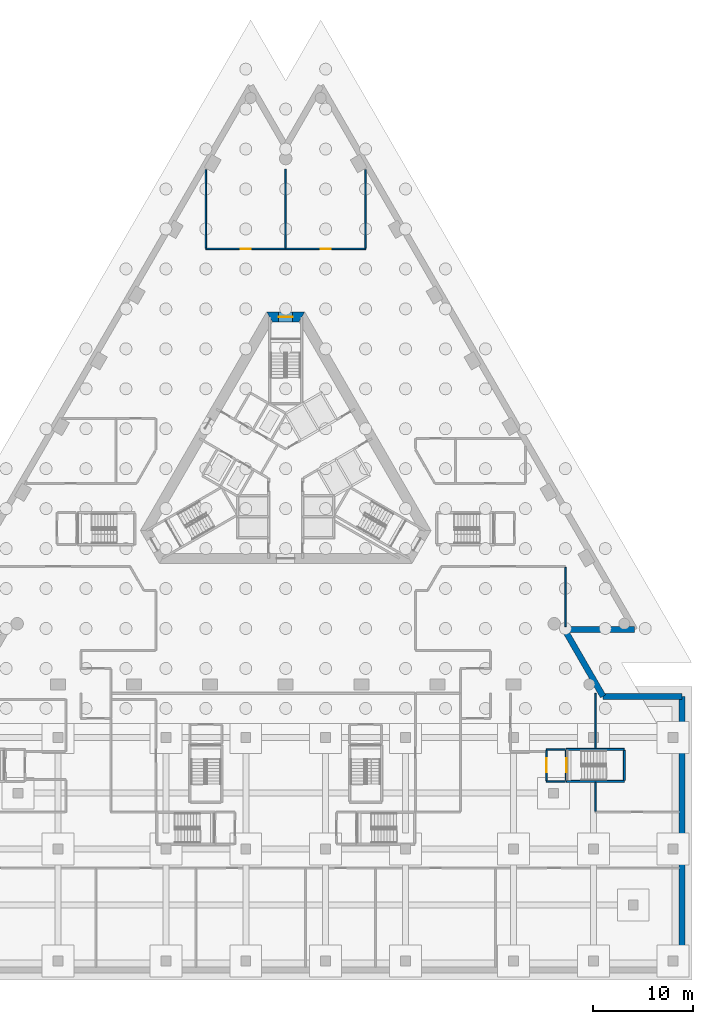
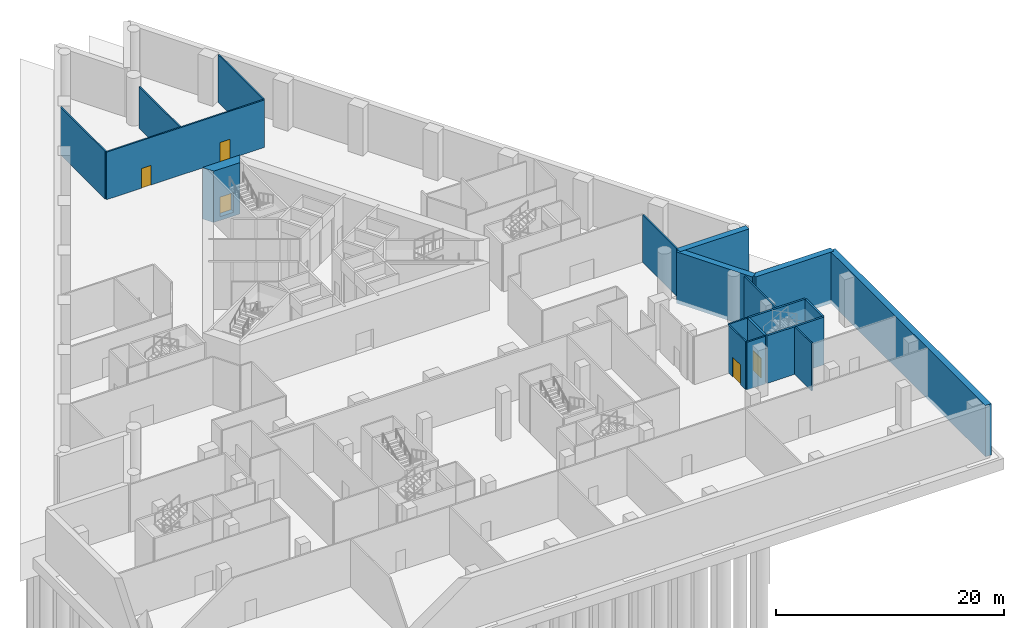
# One storey, part 10 of 20: 19 walls, 5 doors, 5 openings.
"""IFC4 building model written with IfcOpenShell, lengths in metres."""

from ifc_helpers import new_model, si_unit, direction, frame, frame_2d, origin, place, context, subcontext, project, spatial, polyline, rectangle, outline, extrude, material, layer, layer_set, type_object, element, fill, save


model = new_model("IFC4")

# Units and contexts
model_context = context("Model", 3, precision=1e-05, world=origin(), true_north=direction((0.0, 1.0)))
body_context = subcontext(model_context, "Body", "Model", "MODEL_VIEW")
ifc_project = project(units=[si_unit("LENGTHUNIT", "METRE"), si_unit("AREAUNIT", "SQUARE_METRE"), si_unit("VOLUMEUNIT", "CUBIC_METRE"), si_unit("PLANEANGLEUNIT", "RADIAN"), si_unit("MASSUNIT", "GRAM", prefix="KILO")], contexts=[model_context])

# Site, building, storey
site_placement = place(None, origin())
site = spatial("IfcSite", under=ifc_project, at=site_placement, CompositionType="ELEMENT")
building_placement = place(site_placement, origin())
building = spatial("IfcBuilding", under=site, at=building_placement, Name="Triada Interchange Tower", CompositionType="ELEMENT")
storey_placement = place(building_placement, frame((0.0, 0.0, -5.5)))
storey = spatial("IfcBuildingStorey", under=building, at=storey_placement, Name="B1", CompositionType="ELEMENT", Elevation=-5.5)

# Walls
ifc_material_1 = material(Name="Concrete C30/37", Category="concrete")
ifc_layer_1 = layer(ifc_material_1, 0.60009765625)
ifc_layer_set_1 = layer_set([ifc_layer_1], Name="Basement retaining wall 600")
wall_type_1 = type_object("IfcWallType", Name="Basement retaining wall 600", PredefinedType="SOLIDWALL", material=ifc_layer_set_1)
wall_1_placement = place(storey_placement, frame((39.699951171875, -50.199951171875, -0.39990234375), z_axis=(0.0, 0.0, 1.0), x_axis=(0.0, 1.0, 0.0)))
element("IfcWall", 1, at=wall_1_placement, inside=storey, type_object=wall_type_1, Name="Retaining wall 01", PredefinedType="SOLIDWALL", context=body_context, shape_type="SweptSolid", body=[
    extrude(rectangle(XDim=27.39990234375, YDim=0.60009765625, at=frame_2d((13.699951171875, 0.0))), origin(), (0.0, 0.0, 1.0), 5.5),
])
wall_2_placement = place(storey_placement, frame((39.699951171875, -22.800048828125, -0.39990234375), z_axis=(0.0, 0.0, 1.0), x_axis=(-1.0, 0.0, 0.0)))
element("IfcWall", 2, at=wall_2_placement, inside=storey, type_object=wall_type_1, Name="Retaining wall 02", PredefinedType="SOLIDWALL", context=body_context, shape_type="SweptSolid", body=[
    extrude(rectangle(XDim=7.9169921875, YDim=0.60009765625, at=frame_2d((3.95849609375, 0.0))), origin(), (0.0, 0.0, 1.0), 5.5),
])
wall_3_placement = place(storey_placement, frame((31.782958984375, -22.800048828125, -0.39990234375), z_axis=(0.0, 0.0, 1.0), x_axis=(-0.500015828289, 0.866016265125, 0.0)))
element("IfcWall", 3, at=wall_3_placement, inside=storey, type_object=wall_type_1, Name="Retaining wall 03", PredefinedType="SOLIDWALL", context=body_context, shape_type="SweptSolid", body=[
    extrude(rectangle(XDim=7.707763671875, YDim=0.60009765625, at=frame_2d((3.85400390625, 0.0))), origin(), (0.0, 0.0, 1.0), 5.5),
])
wall_4_placement = place(storey_placement, frame((27.928955078125, -16.125, -0.39990234375), z_axis=(0.0, 0.0, 1.0), x_axis=(1.0, 0.0, 0.0)))
element("IfcWall", 4, at=wall_4_placement, inside=storey, type_object=wall_type_1, Name="Retaining wall 04", PredefinedType="SOLIDWALL", context=body_context, shape_type="SweptSolid", body=[
    extrude(rectangle(XDim=7.01513671875, YDim=0.60009765625, at=frame_2d((3.507568359375, 0.0))), origin(), (0.0, 0.0, 1.0), 5.5),
])
ifc_layer_2 = layer(ifc_material_1, 0.199951171875)
ifc_layer_set_2 = layer_set([ifc_layer_2], Name="CORE WALL 200 REI 240")
wall_type_2 = type_object("IfcWallType", Name="CORE WALL 200 REI 240", PredefinedType="SOLIDWALL", material=ifc_layer_set_2)
for number, where, z_axis, x_axis, name in (
    (5, (28.10009765625, -31.300048828125, 0.0), (0.0, 0.0, 1.0), (1.0, 0.0, 0.0), "Wall B1 127"),
    (6, (28.10009765625, -28.10009765625, 0.0), (0.0, 0.0, 1.0), (1.0, 0.0, 0.0), "Wall B1 130"),
):
    element("IfcWall", number, at=place(storey_placement, frame(where, z_axis=z_axis, x_axis=x_axis)), inside=storey, type_object=wall_type_2, Name=name, PredefinedType="SOLIDWALL", context=body_context, shape_type="SweptSolid", body=[
        extrude(rectangle(XDim=5.7998046875, YDim=0.199951171875, at=frame_2d((2.89990234375, 0.0))), origin(), (0.0, 0.0, 1.0), 5.10009765625),
    ])

# Wall, opening, door
wall_5_placement = place(storey_placement, frame((28.10009765625, -31.199951171875, 0.0), z_axis=(0.0, 0.0, 1.0), x_axis=(0.0, 1.0, 0.0)))
wall_5 = element("IfcWall", 7, at=wall_5_placement, inside=storey, type_object=wall_type_2, Name="Wall B1 156", PredefinedType="SOLIDWALL", context=body_context, shape_type="SweptSolid", body=[
    extrude(rectangle(XDim=3.0, YDim=0.199951171875, at=frame_2d((1.5, 0.0))), origin(), (0.0, 0.0, 1.0), 5.10009765625),
])
opening_1_placement = place(wall_5_placement, frame((0.800048828125, 0.0, 0.0)))
opening_1 = element("IfcOpeningElement", 8, at=opening_1_placement, cuts=wall_5, Name="Opening D1-19", PredefinedType="OPENING", context=body_context, shape_type="SweptSolid", body=[
    extrude(rectangle(XDim=1.39990234375, YDim=2.10009765625, at=frame_2d((0.699951171875, 1.050048828125))), frame((0.0, 0.10986328125, 0.0), z_axis=(0.0, -1.0, 0.0), x_axis=(1.0, 0.0, 0.0)), (0.0, 0.0, 1.0), 0.219970703125),
])
ifc_material_2 = material(Name="Steel S235 door leaf", Category="steel")
door_type_1 = type_object("IfcDoorType", Name="STAIR DOOR 1400 EI2 90-C5S200", OperationType="DOUBLE_DOOR_SINGLE_SWING", PredefinedType="DOOR", material=ifc_material_2)
door_1_placement = place(opening_1_placement, origin())
door_1 = element("IfcDoor", 9, at=door_1_placement, inside=storey, type_object=door_type_1, Name="Door D1-19 B1", OperationType="DOUBLE_DOOR_SINGLE_SWING", OverallHeight=2.10009765625, OverallWidth=1.39990234375, PredefinedType="DOOR", context=body_context, shape_type="SweptSolid", body=[
    extrude(rectangle(XDim=1.39990234375, YDim=2.10009765625, at=frame_2d((0.699951171875, 1.050048828125))), frame((0.0, 0.02490234375, 0.0), z_axis=(0.0, -1.0, 0.0), x_axis=(1.0, 0.0, 0.0)), (0.0, 0.0, 1.0), 0.050048828125),
])
fill(opening_1, door_1)

# Wall
wall_6_placement = place(storey_placement, frame((33.89990234375, -31.199951171875, 0.0), z_axis=(0.0, 0.0, 1.0), x_axis=(0.0, 1.0, 0.0)))
element("IfcWall", 10, at=wall_6_placement, inside=storey, type_object=wall_type_2, Name="Wall B1 157", PredefinedType="SOLIDWALL", context=body_context, shape_type="SweptSolid", body=[
    extrude(rectangle(XDim=3.0, YDim=0.199951171875, at=frame_2d((1.5, 0.0))), origin(), (0.0, 0.0, 1.0), 5.10009765625),
])

# Wall, opening, door
ifc_material_3 = material(Name="Concrete C70/85", Category="concrete")
ifc_layer_3 = layer(ifc_material_3, 1.0)
ifc_layer_set_3 = layer_set([ifc_layer_3], Name="Core wall P 1000")
wall_type_3 = type_object("IfcWallType", Name="Core wall P 1000", PredefinedType="SHEAR", material=ifc_layer_set_3)
wall_7_placement = place(storey_placement, frame((1.616943359375, 15.199951171875, -0.39990234375), z_axis=(0.0, 0.0, 1.0), x_axis=(-1.0, 0.0, 0.0)))
wall_7 = element("IfcWall", 11, at=wall_7_placement, inside=storey, type_object=wall_type_3, Name="Core wall WP01 B1", PredefinedType="SHEAR", context=body_context, shape_type="SweptSolid", body=[
    extrude(outline(polyline([(-0.2880859375, -0.5), (1.616943359375, -0.5), (3.52197265625, -0.5), (2.945068359375, 0.5), (1.6171875, 0.5), (0.2890625, 0.5), (-0.2880859375, -0.5)])), origin(), (0.0, 0.0, 1.0), 5.5),
])
opening_2_placement = place(wall_7_placement, frame((0.9169921875, 0.0, 0.39990234375)))
opening_2 = element("IfcOpeningElement", 12, at=opening_2_placement, cuts=wall_7, Name="Opening D1-45", PredefinedType="OPENING", context=body_context, shape_type="SweptSolid", body=[
    extrude(rectangle(XDim=1.39990234375, YDim=2.10009765625, at=frame_2d((0.699951171875, 1.050048828125))), frame((0.0, 0.510009765625, 0.0), z_axis=(0.0, -1.0, 0.0), x_axis=(1.0, 0.0, 0.0)), (0.0, 0.0, 1.0), 1.02001953125),
])
door_2_placement = place(opening_2_placement, origin())
door_2 = element("IfcDoor", 13, at=door_2_placement, inside=storey, type_object=door_type_1, Name="Door D1-45 B1", OperationType="DOUBLE_DOOR_SINGLE_SWING", OverallHeight=2.10009765625, OverallWidth=1.39990234375, PredefinedType="DOOR", context=body_context, shape_type="SweptSolid", body=[
    extrude(rectangle(XDim=1.39990234375, YDim=2.10009765625, at=frame_2d((0.699951171875, 1.050048828125))), frame((0.0, 0.02490234375, 0.0), z_axis=(0.0, -1.0, 0.0), x_axis=(1.0, 0.0, 0.0)), (0.0, 0.0, 1.0), 0.050048828125),
])
fill(opening_2, door_2)

# Walls
ifc_material_4 = material(Name="Gypsum board partition")
ifc_layer_4 = layer(ifc_material_4, 0.14990234375)
ifc_layer_set_4 = layer_set([ifc_layer_4], Name="PARTITION 150")
wall_type_4 = type_object("IfcWallType", Name="PARTITION 150", PredefinedType="PARTITIONING", material=ifc_layer_set_4)
wall_8_placement = place(storey_placement, frame((0.0, 22.074951171875, 0.0), z_axis=(0.0, 0.0, 1.0), x_axis=(0.0, 1.0, 0.0)))
element("IfcWall", 14, at=wall_8_placement, inside=storey, type_object=wall_type_4, Name="Wall B1 78", PredefinedType="PARTITIONING", context=body_context, shape_type="SweptSolid", body=[
    extrude(rectangle(XDim=7.925048828125, YDim=0.14990234375, at=frame_2d((3.96240234375, 0.0))), origin(), (0.0, 0.0, 1.0), 4.449951171875),
])
ifc_layer_5 = layer(ifc_material_4, 0.14990234375)
ifc_layer_set_5 = layer_set([ifc_layer_5], Name="PARTITION 150 EI 180")
wall_type_5 = type_object("IfcWallType", Name="PARTITION 150 EI 180", PredefinedType="PARTITIONING", material=ifc_layer_set_5)
for number, where, z_axis, x_axis, name in (
    (15, (26.10009765625, -28.10009765625, 0.0), (0.0, 0.0, 1.0), (1.0, 0.0, 0.0), "Wall B1 3"),
    (16, (26.10009765625, -31.300048828125, 0.0), (0.0, 0.0, 1.0), (1.0, 0.0, 0.0), "Wall B1 6"),
):
    element("IfcWall", number, at=place(storey_placement, frame(where, z_axis=z_axis, x_axis=x_axis)), inside=storey, type_object=wall_type_5, Name=name, PredefinedType="PARTITIONING", context=body_context, shape_type="SweptSolid", body=[
        extrude(rectangle(XDim=1.89990234375, YDim=0.14990234375, at=frame_2d((0.949951171875, 0.0))), origin(), (0.0, 0.0, 1.0), 5.10009765625),
    ])

# Wall, opening, door
wall_9_placement = place(storey_placement, frame((26.10009765625, -31.22509765625, 0.0), z_axis=(0.0, 0.0, 1.0), x_axis=(0.0, 1.0, 0.0)))
wall_9 = element("IfcWall", 17, at=wall_9_placement, inside=storey, type_object=wall_type_5, Name="Wall B1 37", PredefinedType="PARTITIONING", context=body_context, shape_type="SweptSolid", body=[
    extrude(rectangle(XDim=3.050048828125, YDim=0.14990234375, at=frame_2d((1.52490234375, 0.0))), origin(), (0.0, 0.0, 1.0), 5.10009765625),
])
opening_3_placement = place(wall_9_placement, frame((0.824951171875, 0.0, 0.0)))
opening_3 = element("IfcOpeningElement", 18, at=opening_3_placement, cuts=wall_9, Name="Opening D1-20", PredefinedType="OPENING", context=body_context, shape_type="SweptSolid", body=[
    extrude(rectangle(XDim=1.39990234375, YDim=2.10009765625, at=frame_2d((0.699951171875, 1.050048828125))), frame((0.0, 0.0849609375, 0.0), z_axis=(0.0, -1.0, 0.0), x_axis=(1.0, 0.0, 0.0)), (0.0, 0.0, 1.0), 0.169921875),
])
door_3_placement = place(opening_3_placement, origin())
door_3 = element("IfcDoor", 19, at=door_3_placement, inside=storey, type_object=door_type_1, Name="Door D1-20 B1", OperationType="DOUBLE_DOOR_SINGLE_SWING", OverallHeight=2.10009765625, OverallWidth=1.39990234375, PredefinedType="DOOR", context=body_context, shape_type="SweptSolid", body=[
    extrude(rectangle(XDim=1.39990234375, YDim=2.10009765625, at=frame_2d((0.699951171875, 1.050048828125))), frame((0.0, 0.02490234375, 0.0), z_axis=(0.0, -1.0, 0.0), x_axis=(1.0, 0.0, 0.0)), (0.0, 0.0, 1.0), 0.050048828125),
])
fill(opening_3, door_3)

# Walls
wall_10_placement = place(storey_placement, frame((31.0, -34.324951171875, 0.0), z_axis=(0.0, 0.0, 1.0), x_axis=(0.0, 1.0, 0.0)))
element("IfcWall", 20, at=wall_10_placement, inside=storey, type_object=wall_type_5, Name="Wall B1 38", PredefinedType="PARTITIONING", context=body_context, shape_type="SweptSolid", body=[
    extrude(rectangle(XDim=2.925048828125, YDim=0.14990234375, at=frame_2d((1.46240234375, 0.0))), origin(), (0.0, 0.0, 1.0), 5.10009765625),
])
wall_11_placement = place(storey_placement, frame((31.0, -28.0, 0.0), z_axis=(0.0, 0.0, 1.0), x_axis=(0.0, 1.0, 0.0)))
element("IfcWall", 21, at=wall_11_placement, inside=storey, type_object=wall_type_5, Name="Wall B1 39", PredefinedType="PARTITIONING", context=body_context, shape_type="SweptSolid", body=[
    extrude(rectangle(XDim=5.5, YDim=0.14990234375, at=frame_2d((2.75, 0.0))), origin(), (0.0, 0.0, 1.0), 5.10009765625),
])

# Wall, openings, doors
ifc_layer_6 = layer(ifc_material_4, 0.14990234375)
ifc_layer_set_6 = layer_set([ifc_layer_6], Name="PARTITION 150 EI 90")
wall_type_6 = type_object("IfcWallType", Name="PARTITION 150 EI 90", PredefinedType="PARTITIONING", material=ifc_layer_set_6)
wall_12_placement = place(storey_placement, frame((-8.0, 22.0, 0.0), z_axis=(0.0, 0.0, 1.0), x_axis=(1.0, 0.0, 0.0)))
wall_12 = element("IfcWall", 22, at=wall_12_placement, inside=storey, type_object=wall_type_6, Name="Wall B1 76", PredefinedType="PARTITIONING", context=body_context, shape_type="SweptSolid", body=[
    extrude(rectangle(XDim=16.0, YDim=0.14990234375, at=frame_2d((8.0, 0.0))), origin(), (0.0, 0.0, 1.0), 5.10009765625),
])
opening_4_placement = place(wall_12_placement, frame((3.5, 0.0, 0.0)))
opening_4 = element("IfcOpeningElement", 23, at=opening_4_placement, cuts=wall_12, Name="Opening D1-42", PredefinedType="OPENING", context=body_context, shape_type="SweptSolid", body=[
    extrude(rectangle(XDim=1.0, YDim=2.10009765625, at=frame_2d((0.5, 1.050048828125))), frame((0.0, 0.0849609375, 0.0), z_axis=(0.0, -1.0, 0.0), x_axis=(1.0, 0.0, 0.0)), (0.0, 0.0, 1.0), 0.169921875),
])
opening_5_placement = place(wall_12_placement, frame((11.5, 0.0, 0.0)))
opening_5 = element("IfcOpeningElement", 24, at=opening_5_placement, cuts=wall_12, Name="Opening D1-43", PredefinedType="OPENING", context=body_context, shape_type="SweptSolid", body=[
    extrude(rectangle(XDim=1.0, YDim=2.10009765625, at=frame_2d((0.5, 1.050048828125))), frame((0.0, 0.0849609375, 0.0), z_axis=(0.0, -1.0, 0.0), x_axis=(1.0, 0.0, 0.0)), (0.0, 0.0, 1.0), 0.169921875),
])
door_type_2 = type_object("IfcDoorType", Name="ROOM DOOR 1000 EI2 45-C5S200", OperationType="NOTDEFINED", PredefinedType="DOOR", material=ifc_material_2)
door_4_placement = place(opening_4_placement, origin())
door_4 = element("IfcDoor", 25, at=door_4_placement, inside=storey, type_object=door_type_2, Name="Door D1-42 B1", OperationType="SINGLE_SWING_RIGHT", OverallHeight=2.10009765625, OverallWidth=1.0, PredefinedType="DOOR", context=body_context, shape_type="SweptSolid", body=[
    extrude(rectangle(XDim=1.0, YDim=2.10009765625, at=frame_2d((0.5, 1.050048828125))), frame((0.0, 0.02490234375, 0.0), z_axis=(0.0, -1.0, 0.0), x_axis=(1.0, 0.0, 0.0)), (0.0, 0.0, 1.0), 0.050048828125),
])
fill(opening_4, door_4)
door_5_placement = place(opening_5_placement, origin())
door_5 = element("IfcDoor", 26, at=door_5_placement, inside=storey, type_object=door_type_2, Name="Door D1-43 B1", OperationType="SINGLE_SWING_RIGHT", OverallHeight=2.10009765625, OverallWidth=1.0, PredefinedType="DOOR", context=body_context, shape_type="SweptSolid", body=[
    extrude(rectangle(XDim=1.0, YDim=2.10009765625, at=frame_2d((0.5, 1.050048828125))), frame((0.0, 0.02490234375, 0.0), z_axis=(0.0, -1.0, 0.0), x_axis=(1.0, 0.0, 0.0)), (0.0, 0.0, 1.0), 0.050048828125),
])
fill(opening_5, door_5)

# Walls
for number, where, z_axis, x_axis, name in (
    (27, (-8.0, 22.074951171875, 0.0), (0.0, 0.0, 1.0), (0.0, 1.0, 0.0), "Wall B1 77"),
    (28, (8.0, 22.074951171875, 0.0), (0.0, 0.0, 1.0), (0.0, 1.0, 0.0), "Wall B1 79"),
):
    element("IfcWall", number, at=place(storey_placement, frame(where, z_axis=z_axis, x_axis=x_axis)), inside=storey, type_object=wall_type_6, Name=name, PredefinedType="PARTITIONING", context=body_context, shape_type="SweptSolid", body=[
        extrude(rectangle(XDim=7.8681640625, YDim=0.14990234375, at=frame_2d((3.93408203125, 0.0))), origin(), (0.0, 0.0, 1.0), 5.10009765625),
    ])
wall_13_placement = place(storey_placement, frame((28.0, -15.824951171875, 0.0), z_axis=(0.0, 0.0, 1.0), x_axis=(0.0, 1.0, 0.0)))
element("IfcWall", 29, at=wall_13_placement, inside=storey, type_object=wall_type_6, Name="Wall B1 88", PredefinedType="PARTITIONING", context=body_context, shape_type="SweptSolid", body=[
    extrude(rectangle(XDim=5.949951171875, YDim=0.14990234375, at=frame_2d((2.97509765625, 0.0))), origin(), (0.0, 0.0, 1.0), 5.10009765625),
])

save(model, "model.ifc")
